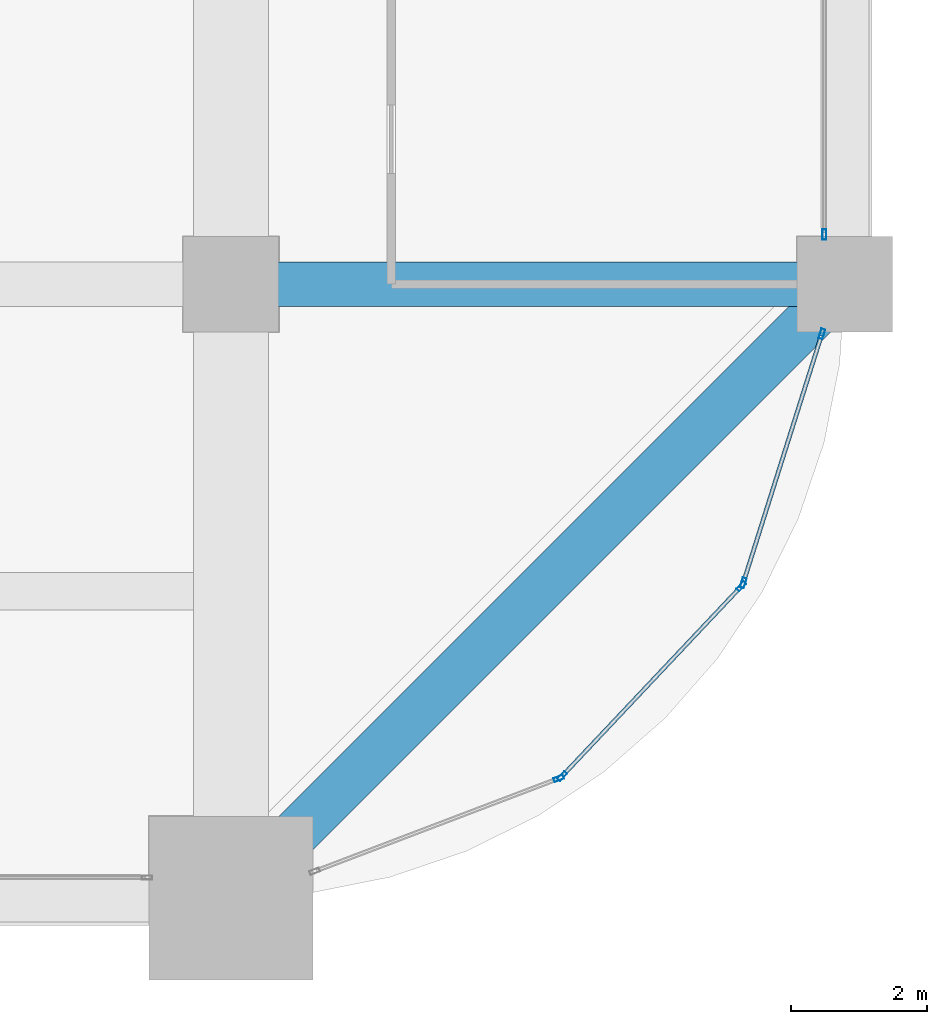
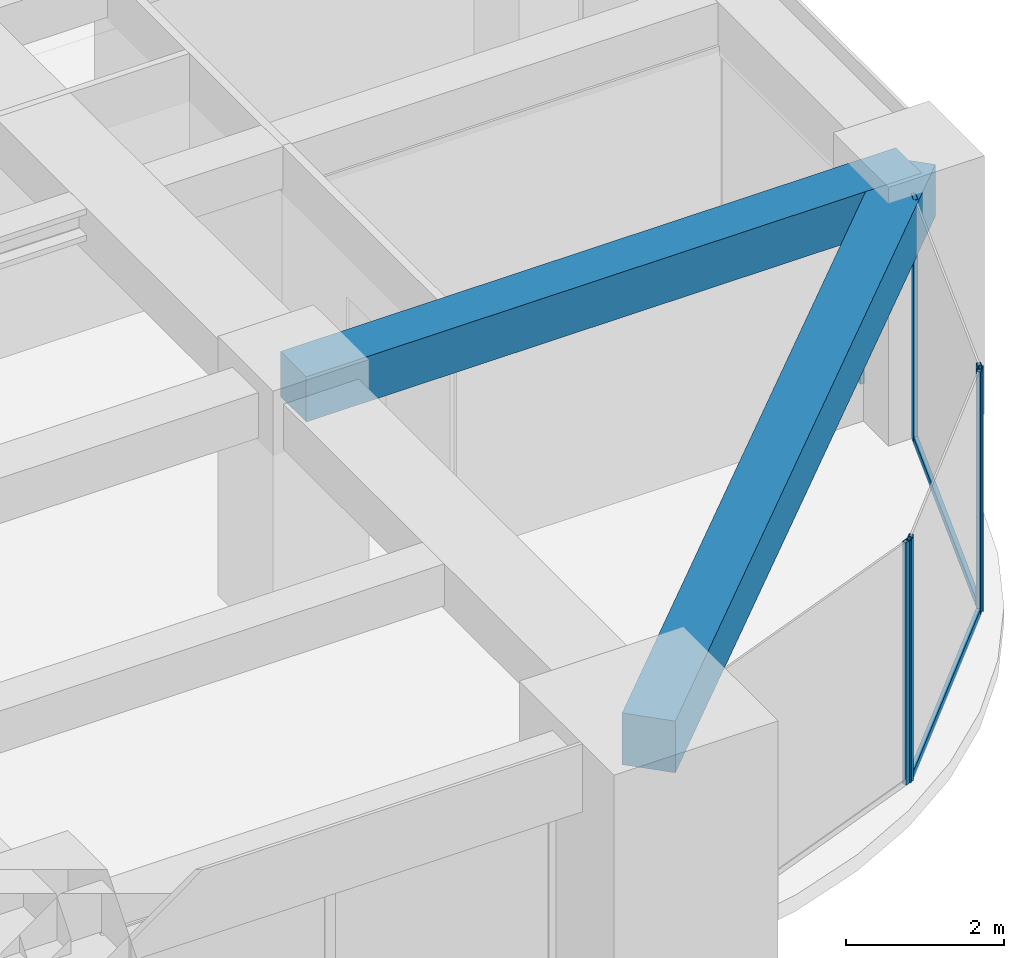
# One storey, part 16 of 32: 8 members, 2 beams, 4 elements without a shape of their own.
"""IFC4 building model written with IfcOpenShell, lengths in metres."""

from ifc_helpers import new_model, si_unit, direction, frame, origin, origin_2d, place, context, subcontext, project, spatial, rectangle, hollow_rectangle, extrude, material, material_profile, profile_set, type_object, element, aggregate, save


model = new_model("IFC4")

# Units and contexts
model_context = context("Model", 3, precision=1e-05, world=origin(), true_north=direction((0.0, 1.0)))
body_context = subcontext(model_context, "Body", "Model", "MODEL_VIEW")
ifc_project = project(units=[si_unit("LENGTHUNIT", "METRE"), si_unit("AREAUNIT", "SQUARE_METRE"), si_unit("VOLUMEUNIT", "CUBIC_METRE"), si_unit("PLANEANGLEUNIT", "RADIAN"), si_unit("MASSUNIT", "GRAM", prefix="KILO")], contexts=[model_context])

# Site, building, storey
site_placement = place(None, origin())
site = spatial("IfcSite", under=ifc_project, at=site_placement, CompositionType="ELEMENT")
building_placement = place(site_placement, origin())
building = spatial("IfcBuilding", under=site, at=building_placement, Name="Zorevar Civic Tower", CompositionType="ELEMENT")
storey_placement = place(building_placement, frame((0.0, 0.0, 198.199951171875)))
storey = spatial("IfcBuildingStorey", under=building, at=storey_placement, Name="L48", CompositionType="ELEMENT", Elevation=198.199951171875)

# Beam
ifc_material_1 = material(Name="Concrete C50/60", Category="concrete")
ifc_material_profile_1 = material_profile(ifc_material_1, rectangle(XDim=0.64990234375, YDim=0.699951171875, at=origin_2d()), Name="RC 650x700")
ifc_profile_set_1 = profile_set([ifc_material_profile_1], Name="Concrete C50/60")
beam_type_1 = type_object("IfcBeamType", Name="Beam RC 650x700", PredefinedType="BEAM", material=ifc_profile_set_1)
beam_1_placement = place(storey_placement, frame((45.0, 9.0, 3.400146484375), z_axis=(1.0, 0.0, 0.0), x_axis=(0.0, 1.0, 0.0)))
element("IfcBeam", 1, at=beam_1_placement, inside=storey, type_object=beam_type_1, Name="Girder L49", PredefinedType="BEAM", context=body_context, shape_type="SweptSolid", body=[
    extrude(rectangle(XDim=0.64990234375, YDim=0.699951171875, at=origin_2d()), origin(), (0.0, 0.0, 1.0), 9.0),
])

# Curtain wall, member
ifc_material_2 = material(Name="Dark grey solar-control glass in black aluminium frame", Category="aluminium")
curtain_wall_type = type_object("IfcCurtainWallType", Name="Curtain wall CW4 high zone", PredefinedType="NOTDEFINED", material=ifc_material_2)
curtain_wall_1_placement = place(storey_placement, origin())
curtain_wall_1 = element("IfcCurtainWall", 2, at=curtain_wall_1_placement, inside=storey, type_object=curtain_wall_type, Name="CW4 L48", PredefinedType="NOTDEFINED")
ifc_material_3 = material(Name="Aluminium, black anodised", Category="aluminium")
ifc_material_profile_2 = material_profile(ifc_material_3, hollow_rectangle(XDim=0.06005859375, YDim=0.14990234375, WallThickness=0.00390625, at=origin_2d()), Name="AL 150x60x4")
ifc_profile_set_2 = profile_set([ifc_material_profile_2], Name="Aluminium, black anodised")
member_type_1 = type_object("IfcMemberType", Name="CW4 mullion AL 150x60x4", PredefinedType="MULLION", material=ifc_profile_set_2)
member_1_placement = place(storey_placement, frame((53.699951171875, 9.72998046875, 0.0), z_axis=(0.0, 0.0, 1.0), x_axis=(-1.0, 0.0, 0.0)))
member_1 = element("IfcMember", 3, at=member_1_placement, type_object=member_type_1, Name="CW4 mullion 1", PredefinedType="MULLION", context=body_context, shape_type="SweptSolid", body=[
    extrude(hollow_rectangle(XDim=0.06005859375, YDim=0.14990234375, WallThickness=0.00390625, at=origin_2d()), origin(), (0.0, 0.0, 1.0), 2.949951171875),
])
aggregate(curtain_wall_1, [member_1])

curtain_wall_2_placement = place(storey_placement, origin())
curtain_wall_2 = element("IfcCurtainWall", 4, at=curtain_wall_2_placement, inside=storey, type_object=curtain_wall_type, Name="CW4 L48", PredefinedType="NOTDEFINED")
member_2_placement = place(storey_placement, frame((49.804931640625, 1.75537109375, 0.0), z_axis=(0.0, 0.0, 1.0), x_axis=(-0.355730895803, 0.93458842801, 0.0)))
member_2 = element("IfcMember", 5, at=member_2_placement, type_object=member_type_1, Name="CW4 mullion 2", PredefinedType="MULLION", context=body_context, shape_type="SweptSolid", body=[
    extrude(hollow_rectangle(XDim=0.06005859375, YDim=0.14990234375, WallThickness=0.00390625, at=origin_2d()), origin(), (0.0, 0.0, 1.0), 3.75),
])
aggregate(curtain_wall_2, [member_2])

# Curtain wall, members
curtain_wall_3_placement = place(storey_placement, origin())
curtain_wall_3 = element("IfcCurtainWall", 6, at=curtain_wall_3_placement, inside=storey, type_object=curtain_wall_type, Name="CW4 L48", PredefinedType="NOTDEFINED")
member_3_placement = place(storey_placement, frame((49.853759765625, 1.787841796875, 0.0), z_axis=(0.0, 0.0, 1.0), x_axis=(-0.727245053898, 0.686377907265, 0.0)))
member_3 = element("IfcMember", 7, at=member_3_placement, type_object=member_type_1, Name="CW4 mullion 1", PredefinedType="MULLION", context=body_context, shape_type="SweptSolid", body=[
    extrude(hollow_rectangle(XDim=0.06005859375, YDim=0.14990234375, WallThickness=0.00390625, at=origin_2d()), origin(), (0.0, 0.0, 1.0), 3.75),
])
member_4_placement = place(storey_placement, frame((52.480712890625, 4.5712890625, 0.0), z_axis=(0.0, 0.0, 1.0), x_axis=(-0.727245053898, 0.686377907265, 0.0)))
member_4 = element("IfcMember", 8, at=member_4_placement, type_object=member_type_1, Name="CW4 mullion 2", PredefinedType="MULLION", context=body_context, shape_type="SweptSolid", body=[
    extrude(hollow_rectangle(XDim=0.06005859375, YDim=0.14990234375, WallThickness=0.00390625, at=origin_2d()), origin(), (0.0, 0.0, 1.0), 3.75),
])

curtain_wall_4_placement = place(storey_placement, origin())
curtain_wall_4 = element("IfcCurtainWall", 9, at=curtain_wall_4_placement, inside=storey, type_object=curtain_wall_type, Name="CW4 L48", PredefinedType="NOTDEFINED")
member_5_placement = place(storey_placement, frame((52.51025390625, 4.62158203125, 0.0), z_axis=(0.0, 0.0, 1.0), x_axis=(-0.953589950678, 0.301108296077, 0.0)))
member_5 = element("IfcMember", 10, at=member_5_placement, type_object=member_type_1, Name="CW4 mullion 1", PredefinedType="MULLION", context=body_context, shape_type="SweptSolid", body=[
    extrude(hollow_rectangle(XDim=0.06005859375, YDim=0.14990234375, WallThickness=0.00390625, at=origin_2d()), origin(), (0.0, 0.0, 1.0), 3.75),
])
member_6_placement = place(storey_placement, frame((53.66259765625, 8.271484375, 0.0), z_axis=(0.0, 0.0, 1.0), x_axis=(-0.953589950678, 0.301108296077, 0.0)))
member_6 = element("IfcMember", 11, at=member_6_placement, type_object=member_type_1, Name="CW4 mullion 2", PredefinedType="MULLION", context=body_context, shape_type="SweptSolid", body=[
    extrude(hollow_rectangle(XDim=0.06005859375, YDim=0.14990234375, WallThickness=0.00390625, at=origin_2d()), origin(), (0.0, 0.0, 1.0), 3.75),
])

# Member
ifc_material_4 = material(Name="Aluminium, black anodised", Category="aluminium")
ifc_material_profile_3 = material_profile(ifc_material_4, hollow_rectangle(XDim=0.06005859375, YDim=0.1201171875, WallThickness=0.0029296875, at=origin_2d()), Name="AL 120x60x3")
ifc_profile_set_3 = profile_set([ifc_material_profile_3], Name="Aluminium, black anodised")
member_type_2 = type_object("IfcMemberType", Name="CW4 transom AL 120x60x3", PredefinedType="USERDEFINED", material=ifc_profile_set_3)
member_7_placement = place(storey_placement, frame((49.874267578125, 1.8095703125, 0.030029296875), z_axis=(0.686332338526, 0.727288059227, 0.0), x_axis=(-0.727288059227, 0.686332338526, 0.0)))
member_7 = element("IfcMember", 12, at=member_7_placement, type_object=member_type_2, Name="CW4 sill transom", ObjectType="TRANSOM", PredefinedType="USERDEFINED", context=body_context, shape_type="SweptSolid", body=[
    extrude(hollow_rectangle(XDim=0.06005859375, YDim=0.1201171875, WallThickness=0.0029296875, at=origin_2d()), origin(), (0.0, 0.0, 1.0), 3.767333984375),
])

aggregate(curtain_wall_3, [member_3, member_4, member_7])

member_8_placement = place(storey_placement, frame((52.519287109375, 4.650390625, 0.030029296875), z_axis=(0.301100351109, 0.953592459367, 0.0), x_axis=(-0.953592459367, 0.301100351109, 0.0)))
member_8 = element("IfcMember", 13, at=member_8_placement, type_object=member_type_2, Name="CW4 sill transom", ObjectType="TRANSOM", PredefinedType="USERDEFINED", context=body_context, shape_type="SweptSolid", body=[
    extrude(hollow_rectangle(XDim=0.06005859375, YDim=0.1201171875, WallThickness=0.0029296875, at=origin_2d()), origin(), (0.0, 0.0, 1.0), 3.76708984375),
])

aggregate(curtain_wall_4, [member_5, member_6, member_8])

# Beam
ifc_material_5 = material(Name="Concrete C50/60", Category="concrete")
ifc_material_profile_4 = material_profile(ifc_material_5, rectangle(XDim=0.699951171875, YDim=0.800048828125, at=origin_2d()), Name="RC 700x800")
ifc_profile_set_4 = profile_set([ifc_material_profile_4], Name="Concrete C50/60")
beam_type_2 = type_object("IfcBeamType", Name="Edge beam RC 700x800", PredefinedType="SPANDREL", material=ifc_profile_set_4)
beam_2_placement = place(storey_placement, frame((45.0, 0.0, 3.35009765625), z_axis=(0.707106781187, 0.707106781187, 0.0), x_axis=(-0.707106781187, 0.707106781187, 0.0)))
element("IfcBeam", 14, at=beam_2_placement, inside=storey, type_object=beam_type_2, Name="Corner edge beam L49", PredefinedType="SPANDREL", context=body_context, shape_type="SweptSolid", body=[
    extrude(rectangle(XDim=0.699951171875, YDim=0.800048828125, at=origin_2d()), origin(), (0.0, 0.0, 1.0), 12.72802734375),
])

save(model, "model.ifc")
